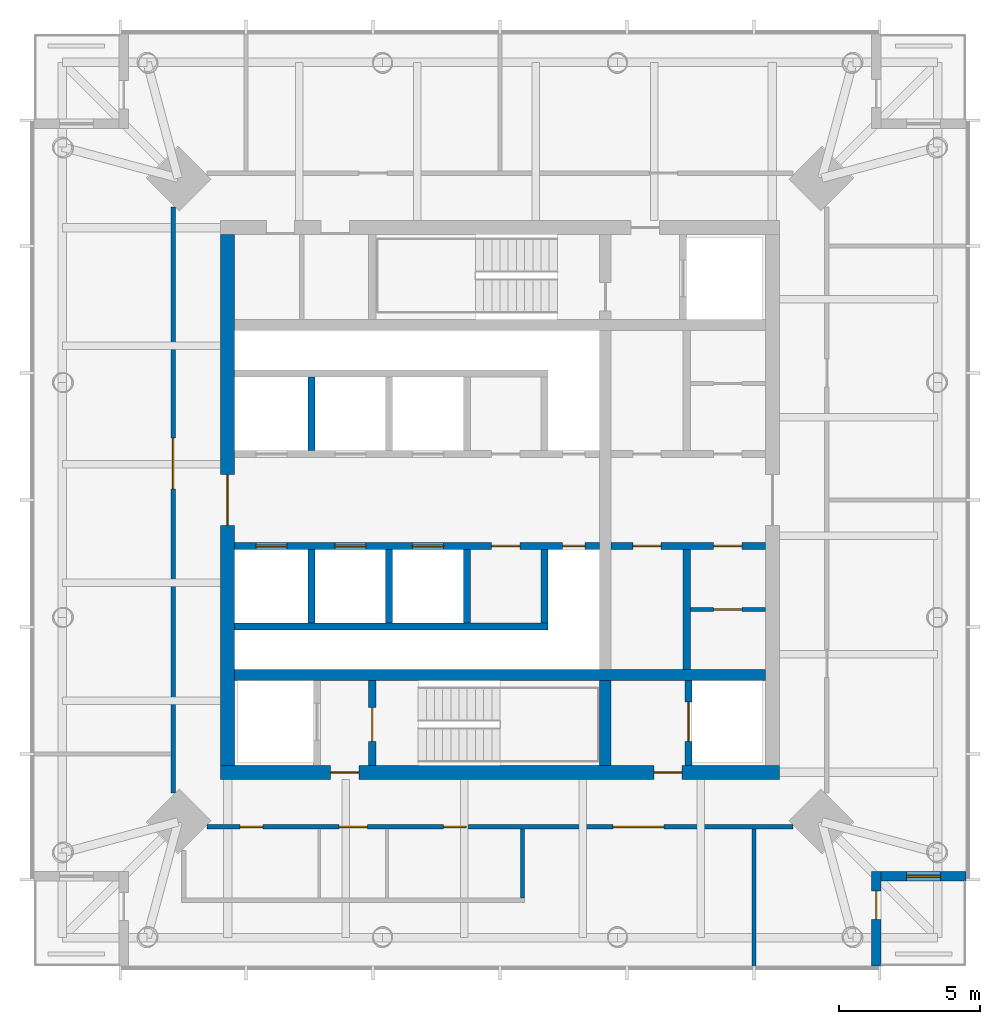
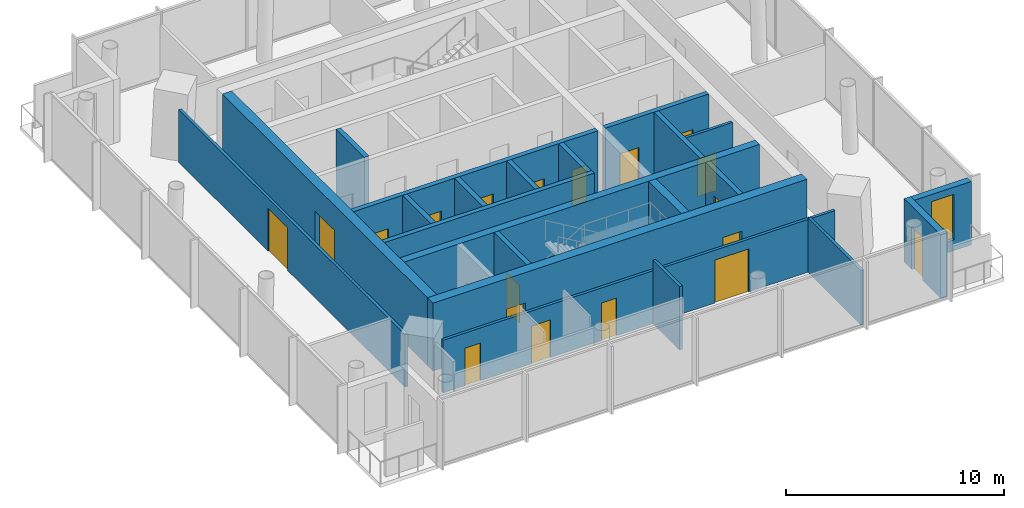
# One storey, part 4 of 7: 22 walls, 19 doors, 1 window, 20 openings.
"""IFC4 building model written with IfcOpenShell, lengths in metres."""

from ifc_helpers import new_model, si_unit, direction, frame, frame_2d, origin, place, context, subcontext, project, spatial, rectangle, extrude, material, layer, layer_set, type_object, element, fill, save


model = new_model("IFC4")

# Units and contexts
model_context = context("Model", 3, precision=1e-05, world=origin(), true_north=direction((0.0, 1.0)))
body_context = subcontext(model_context, "Body", "Model", "MODEL_VIEW")
ifc_project = project(units=[si_unit("LENGTHUNIT", "METRE"), si_unit("AREAUNIT", "SQUARE_METRE"), si_unit("VOLUMEUNIT", "CUBIC_METRE"), si_unit("PLANEANGLEUNIT", "RADIAN"), si_unit("MASSUNIT", "GRAM", prefix="KILO")], contexts=[model_context])

# Site, building, storey
site_placement = place(None, origin())
site = spatial("IfcSite", under=ifc_project, at=site_placement, CompositionType="ELEMENT")
building_placement = place(site_placement, origin())
building = spatial("IfcBuilding", under=site, at=building_placement, Name="Ostroluk Exchange", CompositionType="ELEMENT")
storey_placement = place(building_placement, frame((0.0, 0.0, 287.0)))
storey = spatial("IfcBuildingStorey", under=building, at=storey_placement, Name="L74", CompositionType="ELEMENT", Elevation=287.0)

# Wall, opening, door
ifc_material_1 = material(Name="Concrete blockwork", Category="masonry")
ifc_layer_1 = layer(ifc_material_1, 0.14990234375)
ifc_layer_set_1 = layer_set([ifc_layer_1], Name="Blockwork plant room wall 150")
wall_type_1 = type_object("IfcWallType", Name="Blockwork plant room wall 150", PredefinedType="SOLIDWALL", material=ifc_layer_set_1)
wall_1_placement = place(storey_placement, frame((51.739990234375, 42.125, 0.0), z_axis=(0.0, 0.0, 1.0), x_axis=(1.0, 0.0, 0.0)))
wall_1 = element("IfcWall", 1, at=wall_1_placement, inside=storey, type_object=wall_type_1, Name="Core room wall", PredefinedType="SOLIDWALL", context=body_context, shape_type="SweptSolid", body=[
    extrude(rectangle(XDim=2.659912109375, YDim=0.14990234375, at=frame_2d((1.330078125, 0.0))), origin(), (0.0, 0.0, 1.0), 3.550048828125),
])
opening_1_placement = place(wall_1_placement, frame((0.830078125, 0.0, 0.0)))
opening_1 = element("IfcOpeningElement", 2, at=opening_1_placement, cuts=wall_1, Name="Opening FD60", PredefinedType="OPENING", context=body_context, shape_type="SweptSolid", body=[
    extrude(rectangle(XDim=1.0, YDim=2.10009765625, at=frame_2d((0.5, 1.050048828125))), frame((0.0, 0.0849609375, 0.0), z_axis=(0.0, -1.0, 0.0), x_axis=(1.0, 0.0, 0.0)), (0.0, 0.0, 1.0), 0.169921875),
])
ifc_material_2 = material(Name="Steel", Category="steel")
door_type_1 = type_object("IfcDoorType", Name="Fire door EI 60 1000 x 2100", OperationType="SINGLE_SWING_LEFT", PredefinedType="DOOR", material=ifc_material_2)
door_1_placement = place(opening_1_placement, origin())
door_1 = element("IfcDoor", 3, at=door_1_placement, inside=storey, type_object=door_type_1, Name="Archive store door", OperationType="SINGLE_SWING_RIGHT", OverallHeight=2.10009765625, OverallWidth=1.0, PredefinedType="DOOR", context=body_context, shape_type="SweptSolid", body=[
    extrude(rectangle(XDim=1.0, YDim=2.10009765625, at=frame_2d((0.5, 1.050048828125))), frame((0.0, 0.02490234375, 0.0), z_axis=(0.0, -1.0, 0.0), x_axis=(1.0, 0.0, 0.0)), (0.0, 0.0, 1.0), 0.050048828125),
])
fill(opening_1, door_1)

# Walls
ifc_material_3 = material(Name="Concrete C50/60", Category="concrete")
ifc_layer_2 = layer(ifc_material_3, 0.39990234375)
ifc_layer_set_2 = layer_set([ifc_layer_2], Name="Core cross wall 400 C50/60")
wall_type_2 = type_object("IfcWallType", Name="Core cross wall 400 C50/60", PredefinedType="SHEAR", material=ifc_layer_set_2)
wall_2_placement = place(storey_placement, frame((35.60009765625, 39.800048828125, 0.0), z_axis=(0.0, 0.0, 1.0), x_axis=(1.0, 0.0, 0.0)))
element("IfcWall", 4, at=wall_2_placement, inside=storey, type_object=wall_type_2, Name="T1 core wall XS", PredefinedType="SHEAR", context=body_context, shape_type="SweptSolid", body=[
    extrude(rectangle(XDim=18.7998046875, YDim=0.39990234375, at=frame_2d((9.39990234375, 0.0))), origin(), (0.0, 0.0, 1.0), 3.800048828125),
])
wall_3_placement = place(storey_placement, frame((48.72998046875, 36.60009765625, 0.0), z_axis=(0.0, 0.0, 1.0), x_axis=(0.0, 1.0, 0.0)))
element("IfcWall", 5, at=wall_3_placement, inside=storey, type_object=wall_type_2, Name="T1 core wall YE1", PredefinedType="SHEAR", context=body_context, shape_type="SweptSolid", body=[
    extrude(rectangle(XDim=3.0, YDim=0.39990234375, at=frame_2d((1.5, 0.0))), origin(), (0.0, 0.0, 1.0), 3.800048828125),
])

# Wall, opening, door
ifc_material_4 = material(Name="Concrete C40/50", Category="concrete")
ifc_layer_3 = layer(ifc_material_4, 0.25)
ifc_layer_set_3 = layer_set([ifc_layer_3], Name="Core shaft wall 250")
wall_type_3 = type_object("IfcWallType", Name="Core shaft wall 250", PredefinedType="SHEAR", material=ifc_layer_set_3)
wall_4_placement = place(storey_placement, frame((40.47509765625, 36.60009765625, 0.0), z_axis=(0.0, 0.0, 1.0), x_axis=(0.0, 1.0, 0.0)))
wall_4 = element("IfcWall", 6, at=wall_4_placement, inside=storey, type_object=wall_type_3, Name="Stair shaft wall", PredefinedType="SHEAR", context=body_context, shape_type="SweptSolid", body=[
    extrude(rectangle(XDim=3.0, YDim=0.25, at=frame_2d((1.5, 0.0))), origin(), (0.0, 0.0, 1.0), 3.800048828125),
])
opening_2_placement = place(wall_4_placement, frame((0.85009765625, 0.0, 0.0)))
opening_2 = element("IfcOpeningElement", 7, at=opening_2_placement, cuts=wall_4, Name="Opening FD60S", PredefinedType="OPENING", context=body_context, shape_type="SweptSolid", body=[
    extrude(rectangle(XDim=1.199951171875, YDim=2.10009765625, at=frame_2d((0.60009765625, 1.050048828125))), frame((0.0, 0.135009765625, 0.0), z_axis=(0.0, -1.0, 0.0), x_axis=(1.0, 0.0, 0.0)), (0.0, 0.0, 1.0), 0.27001953125),
])
ifc_material_5 = material(Name="Steel", Category="steel")
door_type_2 = type_object("IfcDoorType", Name="Stair door EI 60 1200 x 2100", OperationType="SINGLE_SWING_LEFT", PredefinedType="DOOR", material=ifc_material_5)
door_2_placement = place(opening_2_placement, origin())
door_2 = element("IfcDoor", 8, at=door_2_placement, inside=storey, type_object=door_type_2, Name="Stair T1-S1 door", OperationType="SINGLE_SWING_LEFT", OverallHeight=2.10009765625, OverallWidth=1.199951171875, PredefinedType="DOOR", context=body_context, shape_type="SweptSolid", body=[
    extrude(rectangle(XDim=1.199951171875, YDim=2.10009765625, at=frame_2d((0.60009765625, 1.050048828125))), frame((0.0, 0.02490234375, 0.0), z_axis=(0.0, -1.0, 0.0), x_axis=(1.0, 0.0, 0.0)), (0.0, 0.0, 1.0), 0.050048828125),
])
fill(opening_2, door_2)

wall_5_placement = place(storey_placement, frame((51.675048828125, 36.60009765625, 0.0), z_axis=(0.0, 0.0, 1.0), x_axis=(0.0, 1.0, 0.0)))
wall_5 = element("IfcWall", 9, at=wall_5_placement, inside=storey, type_object=wall_type_3, Name="Service lift shaft wall", PredefinedType="SHEAR", context=body_context, shape_type="SweptSolid", body=[
    extrude(rectangle(XDim=3.0, YDim=0.25, at=frame_2d((1.5, 0.0))), origin(), (0.0, 0.0, 1.0), 3.800048828125),
])
opening_3_placement = place(wall_5_placement, frame((0.85009765625, 0.0, 0.0)))
opening_3 = element("IfcOpeningElement", 10, at=opening_3_placement, cuts=wall_5, Name="Opening LD3", PredefinedType="OPENING", context=body_context, shape_type="SweptSolid", body=[
    extrude(rectangle(XDim=1.39990234375, YDim=2.39990234375, at=frame_2d((0.699951171875, 1.199951171875))), frame((0.0, 0.135009765625, 0.0), z_axis=(0.0, -1.0, 0.0), x_axis=(1.0, 0.0, 0.0)), (0.0, 0.0, 1.0), 0.27001953125),
])
ifc_material_6 = material(Name="Stainless steel", Category="steel")
door_type_3 = type_object("IfcDoorType", Name="Goods lift landing door E 60 1400 x 2400", OperationType="DOUBLE_DOOR_SLIDING", PredefinedType="DOOR", material=ifc_material_6)
door_3_placement = place(opening_3_placement, origin())
door_3 = element("IfcDoor", 11, at=door_3_placement, inside=storey, type_object=door_type_3, Name="Lift SL1 landing door", OperationType="DOUBLE_DOOR_SLIDING", OverallHeight=2.39990234375, OverallWidth=1.39990234375, PredefinedType="DOOR", context=body_context, shape_type="SweptSolid", body=[
    extrude(rectangle(XDim=1.39990234375, YDim=2.39990234375, at=frame_2d((0.699951171875, 1.199951171875))), frame((0.0, 0.02490234375, 0.0), z_axis=(0.0, -1.0, 0.0), x_axis=(1.0, 0.0, 0.0)), (0.0, 0.0, 1.0), 0.050048828125),
])
fill(opening_3, door_3)

# Walls
for number, where, z_axis, x_axis, name in (
    (12, (38.324951171875, 47.75, 0.0), (0.0, 0.0, 1.0), (0.0, 1.0, 0.0), "Lift shaft wall"),
    (13, (38.324951171875, 44.25, 0.0), (0.0, 0.0, 1.0), (0.0, -1.0, 0.0), "Lift shaft wall"),
    (14, (41.074951171875, 44.25, 0.0), (0.0, 0.0, 1.0), (0.0, -1.0, 0.0), "Lift shaft wall"),
    (15, (43.824951171875, 44.25, 0.0), (0.0, 0.0, 1.0), (0.0, -1.0, 0.0), "Lift shaft wall"),
    (16, (46.574951171875, 44.25, 0.0), (0.0, 0.0, 1.0), (0.0, -1.0, 0.0), "Lift shaft wall"),
):
    element("IfcWall", number, at=place(storey_placement, frame(where, z_axis=z_axis, x_axis=x_axis)), inside=storey, type_object=wall_type_3, Name=name, PredefinedType="SHEAR", context=body_context, shape_type="SweptSolid", body=[
        extrude(rectangle(XDim=2.60009765625, YDim=0.25, at=frame_2d((1.300048828125, 0.0))), origin(), (0.0, 0.0, 1.0), 3.800048828125),
    ])
wall_6_placement = place(storey_placement, frame((35.60009765625, 41.52490234375, 0.0), z_axis=(0.0, 0.0, 1.0), x_axis=(1.0, 0.0, 0.0)))
element("IfcWall", 17, at=wall_6_placement, inside=storey, type_object=wall_type_3, Name="Lift shaft wall", PredefinedType="SHEAR", context=body_context, shape_type="SweptSolid", body=[
    extrude(rectangle(XDim=11.099853515625, YDim=0.25, at=frame_2d((5.5498046875, 0.0))), origin(), (0.0, 0.0, 1.0), 3.800048828125),
])

# Wall, openings, doors
wall_7_placement = place(storey_placement, frame((35.60009765625, 44.375, 0.0), z_axis=(0.0, 0.0, 1.0), x_axis=(1.0, 0.0, 0.0)))
wall_7 = element("IfcWall", 18, at=wall_7_placement, inside=storey, type_object=wall_type_3, Name="Lift shaft front wall", PredefinedType="SHEAR", context=body_context, shape_type="SweptSolid", body=[
    extrude(rectangle(XDim=12.929931640625, YDim=0.25, at=frame_2d((6.46484375, 0.0))), origin(), (0.0, 0.0, 1.0), 3.800048828125),
])
opening_4_placement = place(wall_7_placement, frame((0.75, 0.0, 0.0)))
opening_4 = element("IfcOpeningElement", 19, at=opening_4_placement, cuts=wall_7, Name="Opening LD", PredefinedType="OPENING", context=body_context, shape_type="SweptSolid", body=[
    extrude(rectangle(XDim=1.10009765625, YDim=2.199951171875, at=frame_2d((0.550048828125, 1.10009765625))), frame((0.0, 0.135009765625, 0.0), z_axis=(0.0, -1.0, 0.0), x_axis=(1.0, 0.0, 0.0)), (0.0, 0.0, 1.0), 0.27001953125),
])
opening_5_placement = place(wall_7_placement, frame((3.550048828125, 0.0, 0.0)))
opening_5 = element("IfcOpeningElement", 20, at=opening_5_placement, cuts=wall_7, Name="Opening LD", PredefinedType="OPENING", context=body_context, shape_type="SweptSolid", body=[
    extrude(rectangle(XDim=1.10009765625, YDim=2.199951171875, at=frame_2d((0.550048828125, 1.10009765625))), frame((0.0, 0.135009765625, 0.0), z_axis=(0.0, -1.0, 0.0), x_axis=(1.0, 0.0, 0.0)), (0.0, 0.0, 1.0), 0.27001953125),
])
opening_6_placement = place(wall_7_placement, frame((6.300048828125, 0.0, 0.0)))
opening_6 = element("IfcOpeningElement", 21, at=opening_6_placement, cuts=wall_7, Name="Opening LD", PredefinedType="OPENING", context=body_context, shape_type="SweptSolid", body=[
    extrude(rectangle(XDim=1.10009765625, YDim=2.199951171875, at=frame_2d((0.550048828125, 1.10009765625))), frame((0.0, 0.135009765625, 0.0), z_axis=(0.0, -1.0, 0.0), x_axis=(1.0, 0.0, 0.0)), (0.0, 0.0, 1.0), 0.27001953125),
])
opening_7_placement = place(wall_7_placement, frame((9.10009765625, 0.0, 0.0)))
opening_7 = element("IfcOpeningElement", 22, at=opening_7_placement, cuts=wall_7, Name="Opening FD60", PredefinedType="OPENING", context=body_context, shape_type="SweptSolid", body=[
    extrude(rectangle(XDim=1.0, YDim=2.10009765625, at=frame_2d((0.5, 1.050048828125))), frame((0.0, 0.135009765625, 0.0), z_axis=(0.0, -1.0, 0.0), x_axis=(1.0, 0.0, 0.0)), (0.0, 0.0, 1.0), 0.27001953125),
])
opening_8_placement = place(wall_7_placement, frame((11.614990234375, 0.0, 0.0)))
opening_8 = element("IfcOpeningElement", 23, at=opening_8_placement, cuts=wall_7, Name="Opening RD60", PredefinedType="OPENING", context=body_context, shape_type="SweptSolid", body=[
    extrude(rectangle(XDim=0.800048828125, YDim=2.0, at=frame_2d((0.39990234375, 1.0))), frame((0.0, 0.135009765625, 0.0), z_axis=(0.0, -1.0, 0.0), x_axis=(1.0, 0.0, 0.0)), (0.0, 0.0, 1.0), 0.27001953125),
])
door_4_placement = place(opening_7_placement, origin())
door_4 = element("IfcDoor", 24, at=door_4_placement, inside=storey, type_object=door_type_1, Name="Core room door", OperationType="SINGLE_SWING_RIGHT", OverallHeight=2.10009765625, OverallWidth=1.0, PredefinedType="DOOR", context=body_context, shape_type="SweptSolid", body=[
    extrude(rectangle(XDim=1.0, YDim=2.10009765625, at=frame_2d((0.5, 1.050048828125))), frame((0.0, 0.02490234375, 0.0), z_axis=(0.0, -1.0, 0.0), x_axis=(1.0, 0.0, 0.0)), (0.0, 0.0, 1.0), 0.050048828125),
])
fill(opening_7, door_4)
ifc_material_7 = material(Name="Stainless steel", Category="steel")
door_type_4 = type_object("IfcDoorType", Name="Lift landing door E 60 1100 x 2200", OperationType="DOUBLE_DOOR_SLIDING", PredefinedType="DOOR", material=ifc_material_7)
door_5_placement = place(opening_4_placement, origin())
door_5 = element("IfcDoor", 25, at=door_5_placement, inside=storey, type_object=door_type_4, Name="Lift PL-T4 landing door", OperationType="DOUBLE_DOOR_SLIDING", OverallHeight=2.199951171875, OverallWidth=1.10009765625, PredefinedType="DOOR", context=body_context, shape_type="SweptSolid", body=[
    extrude(rectangle(XDim=1.10009765625, YDim=2.199951171875, at=frame_2d((0.550048828125, 1.10009765625))), frame((0.0, 0.02490234375, 0.0), z_axis=(0.0, -1.0, 0.0), x_axis=(1.0, 0.0, 0.0)), (0.0, 0.0, 1.0), 0.050048828125),
])
fill(opening_4, door_5)
door_6_placement = place(opening_5_placement, origin())
door_6 = element("IfcDoor", 26, at=door_6_placement, inside=storey, type_object=door_type_4, Name="Lift PL-T5 landing door", OperationType="DOUBLE_DOOR_SLIDING", OverallHeight=2.199951171875, OverallWidth=1.10009765625, PredefinedType="DOOR", context=body_context, shape_type="SweptSolid", body=[
    extrude(rectangle(XDim=1.10009765625, YDim=2.199951171875, at=frame_2d((0.550048828125, 1.10009765625))), frame((0.0, 0.02490234375, 0.0), z_axis=(0.0, -1.0, 0.0), x_axis=(1.0, 0.0, 0.0)), (0.0, 0.0, 1.0), 0.050048828125),
])
fill(opening_5, door_6)
door_7_placement = place(opening_6_placement, origin())
door_7 = element("IfcDoor", 27, at=door_7_placement, inside=storey, type_object=door_type_4, Name="Lift PL-T6 landing door", OperationType="DOUBLE_DOOR_SLIDING", OverallHeight=2.199951171875, OverallWidth=1.10009765625, PredefinedType="DOOR", context=body_context, shape_type="SweptSolid", body=[
    extrude(rectangle(XDim=1.10009765625, YDim=2.199951171875, at=frame_2d((0.550048828125, 1.10009765625))), frame((0.0, 0.02490234375, 0.0), z_axis=(0.0, -1.0, 0.0), x_axis=(1.0, 0.0, 0.0)), (0.0, 0.0, 1.0), 0.050048828125),
])
fill(opening_6, door_7)
ifc_material_8 = material(Name="Steel", Category="steel")
door_type_5 = type_object("IfcDoorType", Name="Riser access door EI 60 800 x 2000", OperationType="SINGLE_SWING_LEFT", PredefinedType="DOOR", material=ifc_material_8)
door_8_placement = place(opening_8_placement, origin())
door_8 = element("IfcDoor", 28, at=door_8_placement, inside=storey, type_object=door_type_5, Name="Riser access door", OperationType="SINGLE_SWING_RIGHT", OverallHeight=2.0, OverallWidth=0.800048828125, PredefinedType="DOOR", context=body_context, shape_type="SweptSolid", body=[
    extrude(rectangle(XDim=0.800048828125, YDim=2.0, at=frame_2d((0.39990234375, 1.0))), frame((0.0, 0.02490234375, 0.0), z_axis=(0.0, -1.0, 0.0), x_axis=(1.0, 0.0, 0.0)), (0.0, 0.0, 1.0), 0.050048828125),
])
fill(opening_8, door_8)

# Wall
wall_8_placement = place(storey_placement, frame((51.614990234375, 44.25, 0.0), z_axis=(0.0, 0.0, 1.0), x_axis=(0.0, -1.0, 0.0)))
element("IfcWall", 29, at=wall_8_placement, inside=storey, type_object=wall_type_3, Name="Lift shaft wall", PredefinedType="SHEAR", context=body_context, shape_type="SweptSolid", body=[
    extrude(rectangle(XDim=4.25, YDim=0.25, at=frame_2d((2.125, 0.0))), origin(), (0.0, 0.0, 1.0), 3.800048828125),
])

# Wall, openings, doors
wall_9_placement = place(storey_placement, frame((48.929931640625, 44.375, 0.0), z_axis=(0.0, 0.0, 1.0), x_axis=(1.0, 0.0, 0.0)))
wall_9 = element("IfcWall", 30, at=wall_9_placement, inside=storey, type_object=wall_type_3, Name="Lift shaft front wall", PredefinedType="SHEAR", context=body_context, shape_type="SweptSolid", body=[
    extrude(rectangle(XDim=5.469970703125, YDim=0.25, at=frame_2d((2.73486328125, 0.0))), origin(), (0.0, 0.0, 1.0), 3.800048828125),
])
opening_9_placement = place(wall_9_placement, frame((0.780029296875, 0.0, 0.0)))
opening_9 = element("IfcOpeningElement", 31, at=opening_9_placement, cuts=wall_9, Name="Opening FD60", PredefinedType="OPENING", context=body_context, shape_type="SweptSolid", body=[
    extrude(rectangle(XDim=1.0, YDim=2.10009765625, at=frame_2d((0.5, 1.050048828125))), frame((0.0, 0.135009765625, 0.0), z_axis=(0.0, -1.0, 0.0), x_axis=(1.0, 0.0, 0.0)), (0.0, 0.0, 1.0), 0.27001953125),
])
opening_10_placement = place(wall_9_placement, frame((3.639892578125, 0.0, 0.0)))
opening_10 = element("IfcOpeningElement", 32, at=opening_10_placement, cuts=wall_9, Name="Opening FD60", PredefinedType="OPENING", context=body_context, shape_type="SweptSolid", body=[
    extrude(rectangle(XDim=1.0, YDim=2.10009765625, at=frame_2d((0.5, 1.050048828125))), frame((0.0, 0.135009765625, 0.0), z_axis=(0.0, -1.0, 0.0), x_axis=(1.0, 0.0, 0.0)), (0.0, 0.0, 1.0), 0.27001953125),
])
door_9_placement = place(opening_9_placement, origin())
door_9 = element("IfcDoor", 33, at=door_9_placement, inside=storey, type_object=door_type_1, Name="Core room door", OperationType="SINGLE_SWING_LEFT", OverallHeight=2.10009765625, OverallWidth=1.0, PredefinedType="DOOR", context=body_context, shape_type="SweptSolid", body=[
    extrude(rectangle(XDim=1.0, YDim=2.10009765625, at=frame_2d((0.5, 1.050048828125))), frame((0.0, 0.02490234375, 0.0), z_axis=(0.0, -1.0, 0.0), x_axis=(1.0, 0.0, 0.0)), (0.0, 0.0, 1.0), 0.050048828125),
])
fill(opening_9, door_9)
door_10_placement = place(opening_10_placement, origin())
door_10 = element("IfcDoor", 34, at=door_10_placement, inside=storey, type_object=door_type_1, Name="Core room door", OperationType="SINGLE_SWING_RIGHT", OverallHeight=2.10009765625, OverallWidth=1.0, PredefinedType="DOOR", context=body_context, shape_type="SweptSolid", body=[
    extrude(rectangle(XDim=1.0, YDim=2.10009765625, at=frame_2d((0.5, 1.050048828125))), frame((0.0, 0.02490234375, 0.0), z_axis=(0.0, -1.0, 0.0), x_axis=(1.0, 0.0, 0.0)), (0.0, 0.0, 1.0), 0.050048828125),
])
fill(opening_10, door_10)

ifc_material_9 = material(Name="Concrete C50/60", Category="concrete")
ifc_layer_4 = layer(ifc_material_9, 0.5)
ifc_layer_set_4 = layer_set([ifc_layer_4], Name="Core wall 500 C50/60")
wall_type_4 = type_object("IfcWallType", Name="Core wall 500 C50/60", PredefinedType="SHEAR", material=ifc_layer_set_4)
wall_10_placement = place(storey_placement, frame((35.10009765625, 36.35009765625, 0.0), z_axis=(0.0, 0.0, 1.0), x_axis=(1.0, 0.0, 0.0)))
wall_10 = element("IfcWall", 35, at=wall_10_placement, inside=storey, type_object=wall_type_4, Name="T1 core wall S", PredefinedType="SHEAR", context=body_context, shape_type="SweptSolid", body=[
    extrude(rectangle(XDim=19.7998046875, YDim=0.5, at=frame_2d((9.89990234375, 0.0))), origin(), (0.0, 0.0, 1.0), 3.800048828125),
])
opening_11_placement = place(wall_10_placement, frame((3.89990234375, 0.0, 0.0)))
opening_11 = element("IfcOpeningElement", 36, at=opening_11_placement, cuts=wall_10, Name="Opening FD60", PredefinedType="OPENING", context=body_context, shape_type="SweptSolid", body=[
    extrude(rectangle(XDim=1.0, YDim=2.10009765625, at=frame_2d((0.5, 1.050048828125))), frame((0.0, 0.260009765625, 0.0), z_axis=(0.0, -1.0, 0.0), x_axis=(1.0, 0.0, 0.0)), (0.0, 0.0, 1.0), 0.52001953125),
])
opening_12_placement = place(wall_10_placement, frame((15.35009765625, 0.0, 0.0)))
opening_12 = element("IfcOpeningElement", 37, at=opening_12_placement, cuts=wall_10, Name="Opening FD60", PredefinedType="OPENING", context=body_context, shape_type="SweptSolid", body=[
    extrude(rectangle(XDim=1.0, YDim=2.10009765625, at=frame_2d((0.5, 1.050048828125))), frame((0.0, 0.260009765625, 0.0), z_axis=(0.0, -1.0, 0.0), x_axis=(1.0, 0.0, 0.0)), (0.0, 0.0, 1.0), 0.52001953125),
])
door_11_placement = place(opening_11_placement, origin())
door_11 = element("IfcDoor", 38, at=door_11_placement, inside=storey, type_object=door_type_1, Name="Firefighting lobby door", OperationType="SINGLE_SWING_LEFT", OverallHeight=2.10009765625, OverallWidth=1.0, PredefinedType="DOOR", context=body_context, shape_type="SweptSolid", body=[
    extrude(rectangle(XDim=1.0, YDim=2.10009765625, at=frame_2d((0.5, 1.050048828125))), frame((0.0, 0.02490234375, 0.0), z_axis=(0.0, -1.0, 0.0), x_axis=(1.0, 0.0, 0.0)), (0.0, 0.0, 1.0), 0.050048828125),
])
fill(opening_11, door_11)
door_12_placement = place(opening_12_placement, origin())
door_12 = element("IfcDoor", 39, at=door_12_placement, inside=storey, type_object=door_type_1, Name="Service lobby door", OperationType="SINGLE_SWING_RIGHT", OverallHeight=2.10009765625, OverallWidth=1.0, PredefinedType="DOOR", context=body_context, shape_type="SweptSolid", body=[
    extrude(rectangle(XDim=1.0, YDim=2.10009765625, at=frame_2d((0.5, 1.050048828125))), frame((0.0, 0.02490234375, 0.0), z_axis=(0.0, -1.0, 0.0), x_axis=(1.0, 0.0, 0.0)), (0.0, 0.0, 1.0), 0.050048828125),
])
fill(opening_12, door_12)

# Wall, opening, door
wall_11_placement = place(storey_placement, frame((35.35009765625, 36.60009765625, 0.0), z_axis=(0.0, 0.0, 1.0), x_axis=(0.0, 1.0, 0.0)))
wall_11 = element("IfcWall", 40, at=wall_11_placement, inside=storey, type_object=wall_type_4, Name="T1 core wall W", PredefinedType="SHEAR", context=body_context, shape_type="SweptSolid", body=[
    extrude(rectangle(XDim=18.7998046875, YDim=0.5, at=frame_2d((9.39990234375, 0.0))), origin(), (0.0, 0.0, 1.0), 3.800048828125),
])
opening_13_placement = place(wall_11_placement, frame((8.5, 0.0, 0.0)))
opening_13 = element("IfcOpeningElement", 41, at=opening_13_placement, cuts=wall_11, Name="Opening FD30D", PredefinedType="OPENING", context=body_context, shape_type="SweptSolid", body=[
    extrude(rectangle(XDim=1.800048828125, YDim=2.39990234375, at=frame_2d((0.89990234375, 1.199951171875))), frame((0.0, 0.260009765625, 0.0), z_axis=(0.0, -1.0, 0.0), x_axis=(1.0, 0.0, 0.0)), (0.0, 0.0, 1.0), 0.52001953125),
])
ifc_material_10 = material(Name="Timber", Category="wood")
door_type_6 = type_object("IfcDoorType", Name="Lobby double door EI 30 1800 x 2400", OperationType="DOUBLE_DOOR_SINGLE_SWING", PredefinedType="DOOR", material=ifc_material_10)
door_13_placement = place(opening_13_placement, origin())
door_13 = element("IfcDoor", 42, at=door_13_placement, inside=storey, type_object=door_type_6, Name="Lift lobby doors", OperationType="DOUBLE_DOOR_SINGLE_SWING", OverallHeight=2.39990234375, OverallWidth=1.800048828125, PredefinedType="DOOR", context=body_context, shape_type="SweptSolid", body=[
    extrude(rectangle(XDim=1.800048828125, YDim=2.39990234375, at=frame_2d((0.89990234375, 1.199951171875))), frame((0.0, 0.02490234375, 0.0), z_axis=(0.0, -1.0, 0.0), x_axis=(1.0, 0.0, 0.0)), (0.0, 0.0, 1.0), 0.050048828125),
])
fill(opening_13, door_13)

ifc_material_11 = material(Name="Limestone", Category="masonry")
ifc_layer_5 = layer(ifc_material_11, 0.35009765625)
ifc_layer_set_5 = layer_set([ifc_layer_5], Name="Limestone facade wall 350")
wall_type_5 = type_object("IfcWallType", Name="Limestone facade wall 350", PredefinedType="SOLIDWALL", material=ifc_layer_set_5)
wall_12_placement = place(storey_placement, frame((58.324951171875, 29.5, 0.0), z_axis=(0.0, 0.0, 1.0), x_axis=(0.0, 1.0, 0.0)))
wall_12 = element("IfcWall", 43, at=wall_12_placement, inside=storey, type_object=wall_type_5, Name="Office tower SE corner wall L74 a", PredefinedType="SOLIDWALL", context=body_context, shape_type="SweptSolid", body=[
    extrude(rectangle(XDim=3.35009765625, YDim=0.35009765625, at=frame_2d((1.675048828125, 0.0))), origin(), (0.0, 0.0, 1.0), 3.550048828125),
])
opening_14_placement = place(wall_12_placement, frame((1.64990234375, 0.0, 0.0)))
opening_14 = element("IfcOpeningElement", 44, at=opening_14_placement, cuts=wall_12, Name="Opening D-B1", PredefinedType="OPENING", context=body_context, shape_type="SweptSolid", body=[
    extrude(rectangle(XDim=1.0, YDim=2.39990234375, at=frame_2d((0.5, 1.199951171875))), frame((0.0, 0.18505859375, 0.0), z_axis=(0.0, -1.0, 0.0), x_axis=(1.0, 0.0, 0.0)), (0.0, 0.0, 1.0), 0.3701171875),
])
ifc_material_12 = material(Name="Bronze framed glazed door", Category="aluminium")
door_type_7 = type_object("IfcDoorType", Name="Balcony door 1000 x 2400", OperationType="SINGLE_SWING_LEFT", PredefinedType="DOOR", material=ifc_material_12)
door_14_placement = place(opening_14_placement, origin())
door_14 = element("IfcDoor", 45, at=door_14_placement, inside=storey, type_object=door_type_7, Name="Office tower SE balcony door L74", OperationType="SINGLE_SWING_RIGHT", OverallHeight=2.39990234375, OverallWidth=1.0, PredefinedType="DOOR", context=body_context, shape_type="SweptSolid", body=[
    extrude(rectangle(XDim=1.0, YDim=2.39990234375, at=frame_2d((0.5, 1.199951171875))), frame((0.0, 0.02490234375, 0.0), z_axis=(0.0, -1.0, 0.0), x_axis=(1.0, 0.0, 0.0)), (0.0, 0.0, 1.0), 0.050048828125),
])
fill(opening_14, door_14)

# Wall, opening, window
wall_13_placement = place(storey_placement, frame((58.5, 32.675048828125, 0.0), z_axis=(0.0, 0.0, 1.0), x_axis=(1.0, 0.0, 0.0)))
wall_13 = element("IfcWall", 46, at=wall_13_placement, inside=storey, type_object=wall_type_5, Name="Office tower SE corner wall L74 b", PredefinedType="SOLIDWALL", context=body_context, shape_type="SweptSolid", body=[
    extrude(rectangle(XDim=3.0, YDim=0.35009765625, at=frame_2d((1.5, 0.0))), origin(), (0.0, 0.0, 1.0), 3.550048828125),
])
opening_15_placement = place(wall_13_placement, frame((0.89990234375, 0.0, 0.60009765625)))
opening_15 = element("IfcOpeningElement", 47, at=opening_15_placement, cuts=wall_13, Name="Opening WN-L1", PredefinedType="OPENING", context=body_context, shape_type="SweptSolid", body=[
    extrude(rectangle(XDim=1.199951171875, YDim=2.550048828125, at=frame_2d((0.60009765625, 1.27490234375))), frame((0.0, 0.18505859375, 0.0), z_axis=(0.0, -1.0, 0.0), x_axis=(1.0, 0.0, 0.0)), (0.0, 0.0, 1.0), 0.3701171875),
])
ifc_material_13 = material(Name="Laminated clear glass", Category="glass")
window_type = type_object("IfcWindowType", Name="Lancet window 1200 x 2550", PartitioningType="SINGLE_PANEL", PredefinedType="WINDOW", material=ifc_material_13)
window_placement = place(opening_15_placement, origin())
window = element("IfcWindow", 48, at=window_placement, inside=storey, type_object=window_type, Name="Office tower SE lancet window L74", OverallHeight=2.550048828125, OverallWidth=1.199951171875, PartitioningType="SINGLE_PANEL", PredefinedType="WINDOW", context=body_context, shape_type="SweptSolid", body=[
    extrude(rectangle(XDim=1.199951171875, YDim=2.550048828125, at=frame_2d((0.60009765625, 1.27490234375))), frame((0.0, 0.030029296875, 0.0), z_axis=(0.0, -1.0, 0.0), x_axis=(1.0, 0.0, 0.0)), (0.0, 0.0, 1.0), 0.06005859375),
])
fill(opening_15, window)

# Wall, opening, door
ifc_material_14 = material(Name="Gypsum plasterboard partition", Category="gypsum")
ifc_layer_6 = layer(ifc_material_14, 0.14990234375)
ifc_layer_set_6 = layer_set([ifc_layer_6], Name="Plasterboard partition 150")
wall_type_6 = type_object("IfcWallType", Name="Plasterboard partition 150", PredefinedType="PARTITIONING", material=ifc_layer_set_6)
wall_14_placement = place(storey_placement, frame((33.425048828125, 56.36865234375, 0.0), z_axis=(0.0, 0.0, 1.0), x_axis=(0.0, -1.0, 0.0)))
wall_14 = element("IfcWall", 49, at=wall_14_placement, inside=storey, type_object=wall_type_6, Name="Corridor wall", PredefinedType="PARTITIONING", context=body_context, shape_type="SweptSolid", body=[
    extrude(rectangle(XDim=20.7373046875, YDim=0.14990234375, at=frame_2d((10.36865234375, 0.0))), origin(), (0.0, 0.0, 1.0), 2.949951171875),
])
opening_16_placement = place(wall_14_placement, frame((8.18115234375, 0.0, 0.0)))
opening_16 = element("IfcOpeningElement", 50, at=opening_16_placement, cuts=wall_14, Name="Opening D-04", PredefinedType="OPENING", context=body_context, shape_type="SweptSolid", body=[
    extrude(rectangle(XDim=1.800048828125, YDim=2.39990234375, at=frame_2d((0.89990234375, 1.199951171875))), frame((0.0, 0.0849609375, 0.0), z_axis=(0.0, -1.0, 0.0), x_axis=(1.0, 0.0, 0.0)), (0.0, 0.0, 1.0), 0.169921875),
])
ifc_material_15 = material(Name="Timber", Category="wood")
door_type_8 = type_object("IfcDoorType", Name="Double door 1800 x 2400", OperationType="DOUBLE_DOOR_SINGLE_SWING", PredefinedType="DOOR", material=ifc_material_15)
door_15_placement = place(opening_16_placement, origin())
door_15 = element("IfcDoor", 51, at=door_15_placement, inside=storey, type_object=door_type_8, Name="Observation deck door", OperationType="DOUBLE_DOOR_SINGLE_SWING", OverallHeight=2.39990234375, OverallWidth=1.800048828125, PredefinedType="DOOR", context=body_context, shape_type="SweptSolid", body=[
    extrude(rectangle(XDim=1.800048828125, YDim=2.39990234375, at=frame_2d((0.89990234375, 1.199951171875))), frame((0.0, 0.02490234375, 0.0), z_axis=(0.0, -1.0, 0.0), x_axis=(1.0, 0.0, 0.0)), (0.0, 0.0, 1.0), 0.050048828125),
])
fill(opening_16, door_15)

# Wall, openings, doors
wall_15_placement = place(storey_placement, frame((34.63134765625, 34.425048828125, 0.0), z_axis=(0.0, 0.0, 1.0), x_axis=(1.0, 0.0, 0.0)))
wall_15 = element("IfcWall", 52, at=wall_15_placement, inside=storey, type_object=wall_type_6, Name="Corridor wall", PredefinedType="PARTITIONING", context=body_context, shape_type="SweptSolid", body=[
    extrude(rectangle(XDim=20.7373046875, YDim=0.14990234375, at=frame_2d((10.36865234375, 0.0))), origin(), (0.0, 0.0, 1.0), 2.949951171875),
])
opening_17_placement = place(wall_15_placement, frame((1.168701171875, 0.0, 0.0)))
opening_17 = element("IfcOpeningElement", 53, at=opening_17_placement, cuts=wall_15, Name="Opening D-06", PredefinedType="OPENING", context=body_context, shape_type="SweptSolid", body=[
    extrude(rectangle(XDim=0.800048828125, YDim=2.10009765625, at=frame_2d((0.39990234375, 1.050048828125))), frame((0.0, 0.0849609375, 0.0), z_axis=(0.0, -1.0, 0.0), x_axis=(1.0, 0.0, 0.0)), (0.0, 0.0, 1.0), 0.169921875),
])
opening_18_placement = place(wall_15_placement, frame((4.668701171875, 0.0, 0.0)))
opening_18 = element("IfcOpeningElement", 54, at=opening_18_placement, cuts=wall_15, Name="Opening D-03", PredefinedType="OPENING", context=body_context, shape_type="SweptSolid", body=[
    extrude(rectangle(XDim=1.0, YDim=2.10009765625, at=frame_2d((0.5, 1.050048828125))), frame((0.0, 0.0849609375, 0.0), z_axis=(0.0, -1.0, 0.0), x_axis=(1.0, 0.0, 0.0)), (0.0, 0.0, 1.0), 0.169921875),
])
opening_19_placement = place(wall_15_placement, frame((8.36865234375, 0.0, 0.0)))
opening_19 = element("IfcOpeningElement", 55, at=opening_19_placement, cuts=wall_15, Name="Opening D-06", PredefinedType="OPENING", context=body_context, shape_type="SweptSolid", body=[
    extrude(rectangle(XDim=0.800048828125, YDim=2.10009765625, at=frame_2d((0.39990234375, 1.050048828125))), frame((0.0, 0.0849609375, 0.0), z_axis=(0.0, -1.0, 0.0), x_axis=(1.0, 0.0, 0.0)), (0.0, 0.0, 1.0), 0.169921875),
])
opening_20_placement = place(wall_15_placement, frame((14.36865234375, 0.0, 0.0)))
opening_20 = element("IfcOpeningElement", 56, at=opening_20_placement, cuts=wall_15, Name="Opening D-04", PredefinedType="OPENING", context=body_context, shape_type="SweptSolid", body=[
    extrude(rectangle(XDim=1.800048828125, YDim=2.39990234375, at=frame_2d((0.89990234375, 1.199951171875))), frame((0.0, 0.0849609375, 0.0), z_axis=(0.0, -1.0, 0.0), x_axis=(1.0, 0.0, 0.0)), (0.0, 0.0, 1.0), 0.169921875),
])
door_16_placement = place(opening_20_placement, origin())
door_16 = element("IfcDoor", 57, at=door_16_placement, inside=storey, type_object=door_type_8, Name="Gift shop and ticketing door", OperationType="DOUBLE_DOOR_SINGLE_SWING", OverallHeight=2.39990234375, OverallWidth=1.800048828125, PredefinedType="DOOR", context=body_context, shape_type="SweptSolid", body=[
    extrude(rectangle(XDim=1.800048828125, YDim=2.39990234375, at=frame_2d((0.89990234375, 1.199951171875))), frame((0.0, 0.02490234375, 0.0), z_axis=(0.0, -1.0, 0.0), x_axis=(1.0, 0.0, 0.0)), (0.0, 0.0, 1.0), 0.050048828125),
])
fill(opening_20, door_16)
ifc_material_16 = material(Name="Timber", Category="wood")
door_type_9 = type_object("IfcDoorType", Name="Internal door 1000 x 2100", OperationType="SINGLE_SWING_LEFT", PredefinedType="DOOR", material=ifc_material_16)
door_17_placement = place(opening_18_placement, origin())
door_17 = element("IfcDoor", 58, at=door_17_placement, inside=storey, type_object=door_type_9, Name="Accessible WC door", OperationType="SINGLE_SWING_LEFT", OverallHeight=2.10009765625, OverallWidth=1.0, PredefinedType="DOOR", context=body_context, shape_type="SweptSolid", body=[
    extrude(rectangle(XDim=1.0, YDim=2.10009765625, at=frame_2d((0.5, 1.050048828125))), frame((0.0, 0.02490234375, 0.0), z_axis=(0.0, -1.0, 0.0), x_axis=(1.0, 0.0, 0.0)), (0.0, 0.0, 1.0), 0.050048828125),
])
fill(opening_18, door_17)
ifc_material_17 = material(Name="Timber", Category="wood")
door_type_10 = type_object("IfcDoorType", Name="Toilet door 800 x 2100", OperationType="SINGLE_SWING_LEFT", PredefinedType="DOOR", material=ifc_material_17)
door_18_placement = place(opening_17_placement, origin())
door_18 = element("IfcDoor", 59, at=door_18_placement, inside=storey, type_object=door_type_10, Name="WC female door", OperationType="SINGLE_SWING_LEFT", OverallHeight=2.10009765625, OverallWidth=0.800048828125, PredefinedType="DOOR", context=body_context, shape_type="SweptSolid", body=[
    extrude(rectangle(XDim=0.800048828125, YDim=2.10009765625, at=frame_2d((0.39990234375, 1.050048828125))), frame((0.0, 0.02490234375, 0.0), z_axis=(0.0, -1.0, 0.0), x_axis=(1.0, 0.0, 0.0)), (0.0, 0.0, 1.0), 0.050048828125),
])
fill(opening_17, door_18)
door_19_placement = place(opening_19_placement, origin())
door_19 = element("IfcDoor", 60, at=door_19_placement, inside=storey, type_object=door_type_10, Name="WC male door", OperationType="SINGLE_SWING_LEFT", OverallHeight=2.10009765625, OverallWidth=0.800048828125, PredefinedType="DOOR", context=body_context, shape_type="SweptSolid", body=[
    extrude(rectangle(XDim=0.800048828125, YDim=2.10009765625, at=frame_2d((0.39990234375, 1.050048828125))), frame((0.0, 0.02490234375, 0.0), z_axis=(0.0, -1.0, 0.0), x_axis=(1.0, 0.0, 0.0)), (0.0, 0.0, 1.0), 0.050048828125),
])
fill(opening_19, door_19)

# Walls
wall_16_placement = place(storey_placement, frame((54.0, 34.35009765625, 0.0), z_axis=(0.0, 0.0, 1.0), x_axis=(0.0, -1.0, 0.0)))
element("IfcWall", 61, at=wall_16_placement, inside=storey, type_object=wall_type_6, Name="Partition", PredefinedType="PARTITIONING", context=body_context, shape_type="SweptSolid", body=[
    extrude(rectangle(XDim=4.89013671875, YDim=0.14990234375, at=frame_2d((2.445068359375, 0.0))), origin(), (0.0, 0.0, 1.0), 3.050048828125),
])
ifc_material_18 = material(Name="Gypsum plasterboard partition, moisture resistant", Category="gypsum")
ifc_layer_7 = layer(ifc_material_18, 0.14990234375)
ifc_layer_set_7 = layer_set([ifc_layer_7], Name="Plasterboard toilet partition 150")
wall_type_7 = type_object("IfcWallType", Name="Plasterboard toilet partition 150", PredefinedType="PARTITIONING", material=ifc_layer_set_7)
wall_17_placement = place(storey_placement, frame((45.800048828125, 34.35009765625, 0.0), z_axis=(0.0, 0.0, 1.0), x_axis=(0.0, -1.0, 0.0)))
element("IfcWall", 62, at=wall_17_placement, inside=storey, type_object=wall_type_7, Name="Toilet partition", PredefinedType="PARTITIONING", context=body_context, shape_type="SweptSolid", body=[
    extrude(rectangle(XDim=2.4501953125, YDim=0.14990234375, at=frame_2d((1.22509765625, 0.0))), origin(), (0.0, 0.0, 1.0), 3.550048828125),
])

save(model, "model.ifc")
